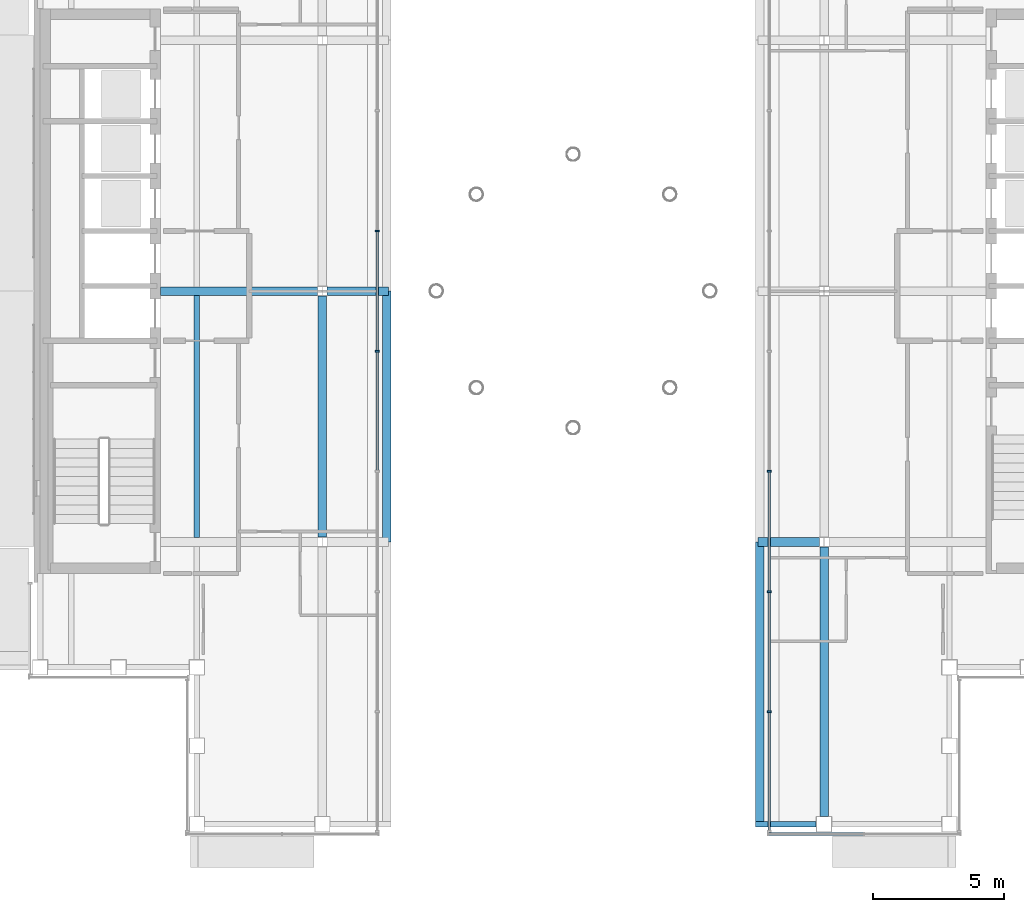
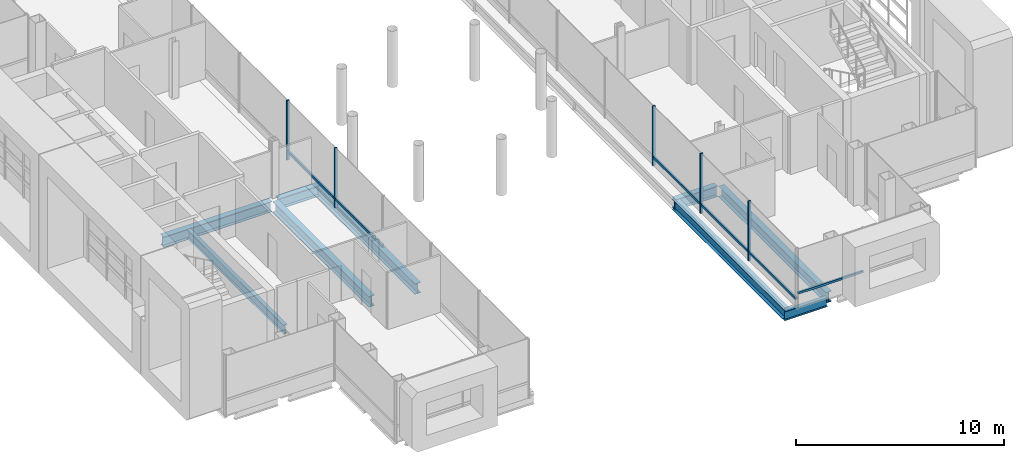
# One storey, part 4 of 21: 11 members, 9 beams, 3 elements without a shape of their own.
"""IFC4 building model written with IfcOpenShell, lengths in metres."""

from ifc_helpers import new_model, si_unit, direction, frame, origin, origin_2d, place, context, subcontext, project, spatial, rectangle, i_section, extrude, material, material_profile, profile_set, type_object, element, aggregate, save


model = new_model("IFC4")

# Units and contexts
model_context = context("Model", 3, precision=1e-05, world=origin(), true_north=direction((0.0, 1.0)))
body_context = subcontext(model_context, "Body", "Model", "MODEL_VIEW")
ifc_project = project(units=[si_unit("LENGTHUNIT", "METRE"), si_unit("AREAUNIT", "SQUARE_METRE"), si_unit("VOLUMEUNIT", "CUBIC_METRE"), si_unit("PLANEANGLEUNIT", "RADIAN"), si_unit("MASSUNIT", "GRAM", prefix="KILO")], contexts=[model_context])

# Site, building, storey
site_placement = place(None, origin())
site = spatial("IfcSite", under=ifc_project, at=site_placement, CompositionType="ELEMENT")
building_placement = place(site_placement, origin())
building = spatial("IfcBuilding", under=site, at=building_placement, Name="Cobrizo Arcos Hotel Tower", CompositionType="ELEMENT")
storey_placement = place(building_placement, frame((0.0, 0.0, 269.0)))
storey = spatial("IfcBuildingStorey", under=building, at=storey_placement, Name="L71", CompositionType="ELEMENT", Elevation=269.0)

# Curtain wall, member
ifc_material_1 = material(Name="Aluminium 6063-T6 anodised bronze", Category="aluminium")
curtain_wall_type_1 = type_object("IfcCurtainWallType", Name="CW-A guest facade", PredefinedType="NOTDEFINED", material=ifc_material_1)
curtain_wall_1_placement = place(storey_placement, origin())
curtain_wall_1 = element("IfcCurtainWall", 1, at=curtain_wall_1_placement, inside=storey, type_object=curtain_wall_type_1, Name="CW-A L71 S face", PredefinedType="NOTDEFINED")
ifc_material_profile_1 = material_profile(ifc_material_1, rectangle(XDim=0.10009765625, YDim=0.1201171875, at=origin_2d()), Name="CW-A transom 120x100")
ifc_profile_set_1 = profile_set([ifc_material_profile_1], Name="Aluminium 6063-T6 anodised bronze")
member_type_1 = type_object("IfcMemberType", Name="CW-A transom 120x100", PredefinedType="USERDEFINED", material=ifc_profile_set_1)
member_1_placement = place(storey_placement, frame((7.482177734375, -20.77490234375, 0.929931640625), z_axis=(1.0, 0.0, 0.0), x_axis=(0.0, 1.0, 0.0)))
member_1 = element("IfcMember", 2, at=member_1_placement, type_object=member_type_1, Name="CW-A transom 2229", ObjectType="TRANSOM", PredefinedType="USERDEFINED", context=body_context, shape_type="SweptSolid", body=[
    extrude(rectangle(XDim=0.10009765625, YDim=0.1201171875, at=origin_2d()), origin(), (0.0, 0.0, 1.0), 3.623779296875),
])
aggregate(curtain_wall_1, [member_1])

# Curtain wall, members
curtain_wall_type_2 = type_object("IfcCurtainWallType", Name="CW-C arch infill and crown glazing", PredefinedType="NOTDEFINED", material=ifc_material_1)
curtain_wall_2_placement = place(storey_placement, origin())
curtain_wall_2 = element("IfcCurtainWall", 3, at=curtain_wall_2_placement, inside=storey, type_object=curtain_wall_type_2, Name="CW-C L71 W face", PredefinedType="NOTDEFINED")
ifc_material_profile_2 = material_profile(ifc_material_1, rectangle(XDim=0.14990234375, YDim=0.070068359375, at=origin_2d()), Name="CW-C mullion 150x70")
ifc_profile_set_2 = profile_set([ifc_material_profile_2], Name="Aluminium 6063-T6 anodised bronze")
member_type_2 = type_object("IfcMemberType", Name="CW-C mullion 150x70", PredefinedType="MULLION", material=ifc_profile_set_2)
member_2_placement = place(storey_placement, frame((7.4970703125, -6.89990234375, 0.0), z_axis=(0.0, 0.0, 1.0), x_axis=(-1.0, 0.0, 0.0)))
member_2 = element("IfcMember", 4, at=member_2_placement, type_object=member_type_2, Name="CW-C mullion 7", PredefinedType="MULLION", context=body_context, shape_type="SweptSolid", body=[
    extrude(rectangle(XDim=0.14990234375, YDim=0.070068359375, at=origin_2d()), origin(), (0.0, 0.0, 1.0), 3.5),
])
member_3_placement = place(storey_placement, frame((7.4970703125, -11.5, 0.0), z_axis=(0.0, 0.0, 1.0), x_axis=(-1.0, 0.0, 0.0)))
member_3 = element("IfcMember", 5, at=member_3_placement, type_object=member_type_2, Name="CW-C mullion 8", PredefinedType="MULLION", context=body_context, shape_type="SweptSolid", body=[
    extrude(rectangle(XDim=0.14990234375, YDim=0.070068359375, at=origin_2d()), origin(), (0.0, 0.0, 1.0), 3.5),
])
member_4_placement = place(storey_placement, frame((7.4970703125, -16.10009765625, 0.0), z_axis=(0.0, 0.0, 1.0), x_axis=(-1.0, 0.0, 0.0)))
member_4 = element("IfcMember", 6, at=member_4_placement, type_object=member_type_2, Name="CW-C mullion 9", PredefinedType="MULLION", context=body_context, shape_type="SweptSolid", body=[
    extrude(rectangle(XDim=0.14990234375, YDim=0.070068359375, at=origin_2d()), origin(), (0.0, 0.0, 1.0), 3.5),
])

curtain_wall_3_placement = place(storey_placement, origin())
curtain_wall_3 = element("IfcCurtainWall", 7, at=curtain_wall_3_placement, inside=storey, type_object=curtain_wall_type_2, Name="CW-C L71 E face", PredefinedType="NOTDEFINED")
member_5_placement = place(storey_placement, frame((-7.4970703125, -2.300048828125, 0.0), z_axis=(0.0, 0.0, 1.0), x_axis=(1.0, 0.0, 0.0)))
member_5 = element("IfcMember", 8, at=member_5_placement, type_object=member_type_2, Name="CW-C mullion 5", PredefinedType="MULLION", context=body_context, shape_type="SweptSolid", body=[
    extrude(rectangle(XDim=0.14990234375, YDim=0.070068359375, at=origin_2d()), origin(), (0.0, 0.0, 1.0), 3.5),
])
member_6_placement = place(storey_placement, frame((-7.4970703125, 2.300048828125, 0.0), z_axis=(0.0, 0.0, 1.0), x_axis=(1.0, 0.0, 0.0)))
member_6 = element("IfcMember", 9, at=member_6_placement, type_object=member_type_2, Name="CW-C mullion 6", PredefinedType="MULLION", context=body_context, shape_type="SweptSolid", body=[
    extrude(rectangle(XDim=0.14990234375, YDim=0.070068359375, at=origin_2d()), origin(), (0.0, 0.0, 1.0), 3.5),
])

# Member
ifc_material_profile_3 = material_profile(ifc_material_1, rectangle(XDim=0.10009765625, YDim=0.139892578125, at=origin_2d()), Name="CW-C transom 140x100")
ifc_profile_set_3 = profile_set([ifc_material_profile_3], Name="Aluminium 6063-T6 anodised bronze")
member_type_3 = type_object("IfcMemberType", Name="CW-C transom 140x100", PredefinedType="USERDEFINED", material=ifc_profile_set_3)
member_7_placement = place(storey_placement, frame((7.4970703125, -6.93505859375, 0.5), z_axis=(0.0, -1.0, 0.0), x_axis=(1.0, 0.0, 0.0)))
member_7 = element("IfcMember", 10, at=member_7_placement, type_object=member_type_3, Name="CW-C transom 2226", ObjectType="TRANSOM", PredefinedType="USERDEFINED", context=body_context, shape_type="SweptSolid", body=[
    extrude(rectangle(XDim=0.10009765625, YDim=0.139892578125, at=origin_2d()), origin(), (0.0, 0.0, 1.0), 4.530029296875),
])

member_8_placement = place(storey_placement, frame((7.4970703125, -11.534912109375, 0.5), z_axis=(0.0, -1.0, 0.0), x_axis=(1.0, 0.0, 0.0)))
member_8 = element("IfcMember", 11, at=member_8_placement, type_object=member_type_3, Name="CW-C transom 2227", ObjectType="TRANSOM", PredefinedType="USERDEFINED", context=body_context, shape_type="SweptSolid", body=[
    extrude(rectangle(XDim=0.10009765625, YDim=0.139892578125, at=origin_2d()), origin(), (0.0, 0.0, 1.0), 4.530029296875),
])

member_9_placement = place(storey_placement, frame((7.4970703125, -16.135009765625, 0.5), z_axis=(0.0, -1.0, 0.0), x_axis=(1.0, 0.0, 0.0)))
member_9 = element("IfcMember", 12, at=member_9_placement, type_object=member_type_3, Name="CW-C transom 2228", ObjectType="TRANSOM", PredefinedType="USERDEFINED", context=body_context, shape_type="SweptSolid", body=[
    extrude(rectangle(XDim=0.10009765625, YDim=0.139892578125, at=origin_2d()), origin(), (0.0, 0.0, 1.0), 4.494873046875),
])

aggregate(curtain_wall_2, [member_2, member_3, member_4, member_7, member_8, member_9])

member_10_placement = place(storey_placement, frame((-7.4970703125, -6.864990234375, 0.5), z_axis=(0.0, 1.0, 0.0), x_axis=(-1.0, 0.0, 0.0)))
member_10 = element("IfcMember", 13, at=member_10_placement, type_object=member_type_3, Name="CW-C transom 2242", ObjectType="TRANSOM", PredefinedType="USERDEFINED", context=body_context, shape_type="SweptSolid", body=[
    extrude(rectangle(XDim=0.10009765625, YDim=0.139892578125, at=origin_2d()), origin(), (0.0, 0.0, 1.0), 4.530029296875),
])

member_11_placement = place(storey_placement, frame((-7.4970703125, -2.264892578125, 0.5), z_axis=(0.0, 1.0, 0.0), x_axis=(-1.0, 0.0, 0.0)))
member_11 = element("IfcMember", 14, at=member_11_placement, type_object=member_type_3, Name="CW-C transom 2243", ObjectType="TRANSOM", PredefinedType="USERDEFINED", context=body_context, shape_type="SweptSolid", body=[
    extrude(rectangle(XDim=0.10009765625, YDim=0.139892578125, at=origin_2d()), origin(), (0.0, 0.0, 1.0), 4.52978515625),
])

aggregate(curtain_wall_3, [member_5, member_6, member_10, member_11])

# Beams
ifc_material_2 = material(Name="Steel ASTM A992 Grade 50", Category="steel")
ifc_material_profile_4 = material_profile(ifc_material_2, i_section(OverallWidth=0.209228515625, OverallDepth=0.533447265625, WebThickness=0.01025390625, FlangeThickness=0.015625, at=origin_2d()), Name="W21X62")
ifc_profile_set_4 = profile_set([ifc_material_profile_4], Name="Steel ASTM A992 Grade 50")
beam_type_1 = type_object("IfcBeamType", Name="W21X62 joist", PredefinedType="JOIST", material=ifc_profile_set_4)
beam_1_placement = place(storey_placement, frame((-14.39990234375, -9.43603515625, -0.416748046875), z_axis=(0.0, 1.0, 0.0), x_axis=(-1.0, 0.0, 0.0)))
element("IfcBeam", 15, at=beam_1_placement, inside=storey, type_object=beam_type_1, Name="Floor joist J1, L71, no. 004", PredefinedType="JOIST", context=body_context, shape_type="SweptSolid", body=[
    extrude(i_section(OverallWidth=0.209228515625, OverallDepth=0.533447265625, WebThickness=0.01025390625, FlangeThickness=0.015625, at=origin_2d()), origin(), (0.0, 0.0, 1.0), 9.272216796875),
])
ifc_material_profile_5 = material_profile(ifc_material_2, i_section(OverallWidth=0.209228515625, OverallDepth=0.533447265625, WebThickness=0.01025390625, FlangeThickness=0.015625, at=origin_2d()), Name="W21X62")
ifc_profile_set_5 = profile_set([ifc_material_profile_5], Name="Steel ASTM A992 Grade 50")
beam_type_2 = type_object("IfcBeamType", Name="W21X62 spandrel", PredefinedType="SPANDREL", material=ifc_profile_set_5)
beam_2_placement = place(storey_placement, frame((9.300048828125, -20.39990234375, -0.416748046875), z_axis=(-1.0, 0.0, 0.0), x_axis=(0.0, -1.0, 0.0)))
element("IfcBeam", 16, at=beam_2_placement, inside=storey, type_object=beam_type_2, Name="Spandrel beam W21X62, L71, no. 028", PredefinedType="SPANDREL", context=body_context, shape_type="SweptSolid", body=[
    extrude(i_section(OverallWidth=0.209228515625, OverallDepth=0.533447265625, WebThickness=0.01025390625, FlangeThickness=0.015625, at=origin_2d()), origin(), (0.0, 0.0, 1.0), 2.325927734375),
])
ifc_material_profile_6 = material_profile(ifc_material_2, i_section(OverallWidth=0.32763671875, OverallDepth=0.622314453125, WebThickness=0.015380859375, FlangeThickness=0.0244140625, at=origin_2d()), Name="W24X131")
ifc_profile_set_6 = profile_set([ifc_material_profile_6], Name="Steel ASTM A992 Grade 50")
beam_type_3 = type_object("IfcBeamType", Name="W24X131 edge beam", PredefinedType="BEAM", material=ifc_profile_set_6)
beam_3_placement = place(storey_placement, frame((-7.137939453125, 0.0, -0.461181640625), z_axis=(0.0, -1.0, 0.0), x_axis=(1.0, 0.0, 0.0)))
element("IfcBeam", 17, at=beam_3_placement, inside=storey, type_object=beam_type_3, Name="Edge beam EB1, L71, no. 003", PredefinedType="BEAM", context=body_context, shape_type="SweptSolid", body=[
    extrude(i_section(OverallWidth=0.32763671875, OverallDepth=0.622314453125, WebThickness=0.015380859375, FlangeThickness=0.0244140625, at=origin_2d()), origin(), (0.0, 0.0, 1.0), 9.60009765625),
])
beam_4_placement = place(storey_placement, frame((7.137939453125, -20.39990234375, -0.461181640625), z_axis=(0.0, 1.0, 0.0), x_axis=(-1.0, 0.0, 0.0)))
element("IfcBeam", 18, at=beam_4_placement, inside=storey, type_object=beam_type_3, Name="Edge beam EB1, L71, no. 005", PredefinedType="BEAM", context=body_context, shape_type="SweptSolid", body=[
    extrude(i_section(OverallWidth=0.32763671875, OverallDepth=0.622314453125, WebThickness=0.015380859375, FlangeThickness=0.0244140625, at=origin_2d()), origin(), (0.0, 0.0, 1.0), 10.7998046875),
])
ifc_material_profile_7 = material_profile(ifc_material_2, i_section(OverallWidth=0.32763671875, OverallDepth=0.622314453125, WebThickness=0.015380859375, FlangeThickness=0.0244140625, at=origin_2d()), Name="W24X131")
ifc_profile_set_7 = profile_set([ifc_material_profile_7], Name="Steel ASTM A992 Grade 50")
beam_type_4 = type_object("IfcBeamType", Name="W24X131 girder", PredefinedType="BEAM", material=ifc_profile_set_7)
beam_5_placement = place(storey_placement, frame((7.06396484375, -9.60009765625, -0.461181640625), z_axis=(1.0, 0.0, 0.0), x_axis=(0.0, 1.0, 0.0)))
element("IfcBeam", 19, at=beam_5_placement, inside=storey, type_object=beam_type_4, Name="Floor girder G1, L71, no. 003", PredefinedType="BEAM", context=body_context, shape_type="SweptSolid", body=[
    extrude(i_section(OverallWidth=0.32763671875, OverallDepth=0.622314453125, WebThickness=0.015380859375, FlangeThickness=0.0244140625, at=origin_2d()), origin(), (0.0, 0.0, 1.0), 2.351806640625),
])
beam_6_placement = place(storey_placement, frame((-15.7900390625, 0.0, -0.461181640625), z_axis=(1.0, 0.0, 0.0), x_axis=(0.0, 1.0, 0.0)))
element("IfcBeam", 20, at=beam_6_placement, inside=storey, type_object=beam_type_4, Name="Floor girder G1, L71, no. 005", PredefinedType="BEAM", context=body_context, shape_type="SweptSolid", body=[
    extrude(i_section(OverallWidth=0.32763671875, OverallDepth=0.622314453125, WebThickness=0.015380859375, FlangeThickness=0.0244140625, at=origin_2d()), origin(), (0.0, 0.0, 1.0), 6.005859375),
])
beam_7_placement = place(storey_placement, frame((-9.415771484375, 0.0, -0.461181640625), z_axis=(1.0, 0.0, 0.0), x_axis=(0.0, 1.0, 0.0)))
element("IfcBeam", 21, at=beam_7_placement, inside=storey, type_object=beam_type_4, Name="Floor girder G1, L71, no. 006", PredefinedType="BEAM", context=body_context, shape_type="SweptSolid", body=[
    extrude(i_section(OverallWidth=0.32763671875, OverallDepth=0.622314453125, WebThickness=0.015380859375, FlangeThickness=0.0244140625, at=origin_2d()), origin(), (0.0, 0.0, 1.0), 2.351806640625),
])
beam_8_placement = place(storey_placement, frame((-9.60009765625, -9.415771484375, -0.461181640625), z_axis=(0.0, 1.0, 0.0), x_axis=(-1.0, 0.0, 0.0)))
element("IfcBeam", 22, at=beam_8_placement, inside=storey, type_object=beam_type_4, Name="Floor girder G1, L71, no. 014", PredefinedType="BEAM", context=body_context, shape_type="SweptSolid", body=[
    extrude(i_section(OverallWidth=0.32763671875, OverallDepth=0.622314453125, WebThickness=0.015380859375, FlangeThickness=0.0244140625, at=origin_2d()), origin(), (0.0, 0.0, 1.0), 9.231689453125),
])
beam_9_placement = place(storey_placement, frame((9.60009765625, -20.10009765625, -0.461181640625), z_axis=(0.0, 1.0, 0.0), x_axis=(-1.0, 0.0, 0.0)))
element("IfcBeam", 23, at=beam_9_placement, inside=storey, type_object=beam_type_4, Name="Floor girder G1, L71, no. 017", PredefinedType="BEAM", context=body_context, shape_type="SweptSolid", body=[
    extrude(i_section(OverallWidth=0.32763671875, OverallDepth=0.622314453125, WebThickness=0.015380859375, FlangeThickness=0.0244140625, at=origin_2d()), origin(), (0.0, 0.0, 1.0), 10.31591796875),
])

save(model, "model.ifc")
